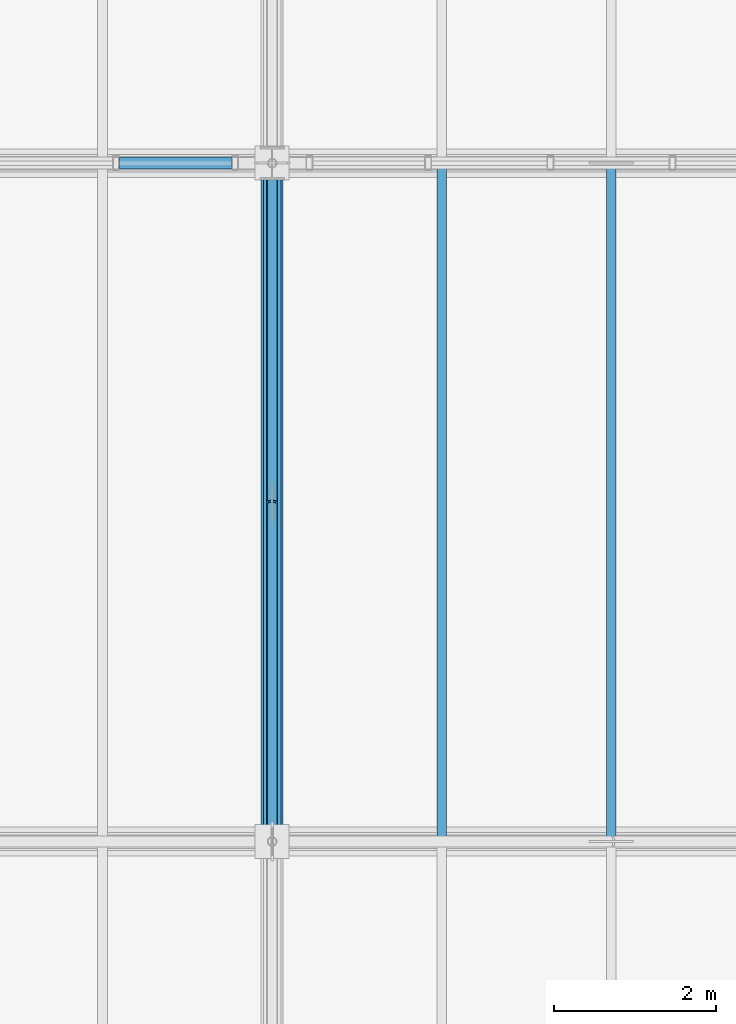
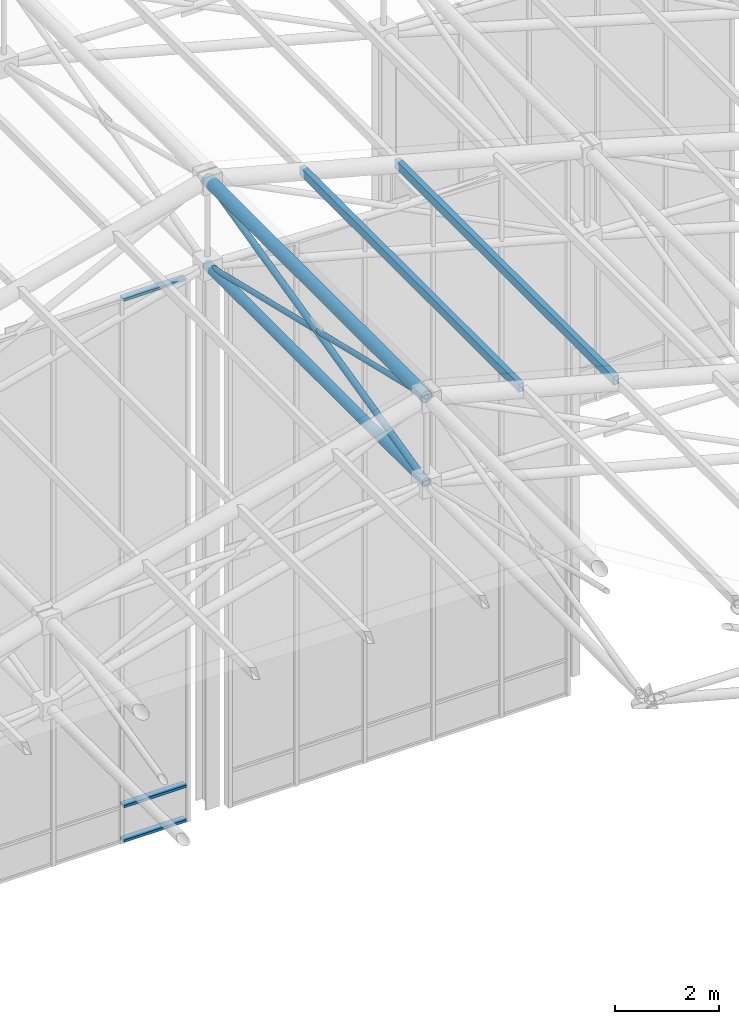
# One storey, part 73 of 144: 10 members, 1 element without a shape of its own.
"""IFC4 building model written with IfcOpenShell, lengths in metres."""

from ifc_helpers import new_model, si_unit, direction, frame, origin, origin_2d, place, context, subcontext, project, spatial, hollow_rectangle, hollow_circle, extrude, material, layer, layer_set, material_profile, profile_set, type_object, element, aggregate, save


model = new_model("IFC4")

# Units and contexts
model_context = context("Model", 3, precision=1e-05, world=origin(), true_north=direction((0.0, 1.0)))
body_context = subcontext(model_context, "Body", "Model", "MODEL_VIEW")
ifc_project = project(units=[si_unit("LENGTHUNIT", "METRE"), si_unit("AREAUNIT", "SQUARE_METRE"), si_unit("VOLUMEUNIT", "CUBIC_METRE"), si_unit("PLANEANGLEUNIT", "RADIAN"), si_unit("MASSUNIT", "GRAM", prefix="KILO")], contexts=[model_context])

# Site, building, storey
site_placement = place(None, origin())
site = spatial("IfcSite", under=ifc_project, at=site_placement, CompositionType="ELEMENT")
building_placement = place(site_placement, origin())
building = spatial("IfcBuilding", under=site, at=building_placement, Name="Zayran Congress Hotel", CompositionType="ELEMENT")
storey_placement = place(building_placement, frame((0.0, 0.0, 19.199951171875)))
storey = spatial("IfcBuildingStorey", under=building, at=storey_placement, Name="L04", CompositionType="ELEMENT", Elevation=19.199951171875)

# Members
ifc_material_1 = material(Name="Steel S355", Category="steel")
ifc_material_profile_1 = material_profile(ifc_material_1, hollow_circle(Radius=0.136474609375, WallThickness=0.012451171875, at=origin_2d()), Name="CHS 273x12.5")
ifc_profile_set_1 = profile_set([ifc_material_profile_1], Name="Steel S355")
member_type_1 = type_object("IfcMemberType", Name="TP-SF-TC2", PredefinedType="CHORD", material=ifc_profile_set_1)
member_1_placement = place(storey_placement, frame((50.39990234375, 101.199951171875, 14.60205078125), z_axis=(0.0, 1.0, 0.0), x_axis=(-1.0, 0.0, 0.0)))
element("IfcMember", 1, at=member_1_placement, inside=storey, type_object=member_type_1, Name="Space Frame Top Chord Y 312", PredefinedType="CHORD", context=body_context, shape_type="SweptSolid", body=[
    extrude(hollow_circle(Radius=0.136474609375, WallThickness=0.012451171875, at=origin_2d()), origin(), (0.0, 0.0, 1.0), 8.400146484375),
])
ifc_material_profile_2 = material_profile(ifc_material_1, hollow_circle(Radius=0.109619140625, WallThickness=0.010009765625, at=origin_2d()), Name="CHS 219.1x10")
ifc_profile_set_2 = profile_set([ifc_material_profile_2], Name="Steel S355")
member_type_2 = type_object("IfcMemberType", Name="TP-SF-BC1", PredefinedType="CHORD", material=ifc_profile_set_2)
member_2_placement = place(storey_placement, frame((50.39990234375, 101.199951171875, 12.60009765625), z_axis=(0.0, 1.0, 0.0), x_axis=(-1.0, 0.0, 0.0)))
element("IfcMember", 2, at=member_2_placement, inside=storey, type_object=member_type_2, Name="Space Frame Bottom Chord Y 313", PredefinedType="CHORD", context=body_context, shape_type="SweptSolid", body=[
    extrude(hollow_circle(Radius=0.109619140625, WallThickness=0.010009765625, at=origin_2d()), origin(), (0.0, 0.0, 1.0), 8.400146484375),
])
ifc_material_profile_3 = material_profile(ifc_material_1, hollow_circle(Radius=0.06982421875, WallThickness=0.00634765625, at=origin_2d()), Name="CHS 139.7x6.3")
ifc_profile_set_3 = profile_set([ifc_material_profile_3], Name="Steel S355")
member_type_3 = type_object("IfcMemberType", Name="TP-SF-DG2", PredefinedType="BRACE", material=ifc_profile_set_3)
member_3_placement = place(storey_placement, frame((50.39990234375, 101.199951171875, 12.60009765625), z_axis=(0.0, 0.972756139537, 0.231830742122), x_axis=(-1.0, 0.0, 0.0)))
element("IfcMember", 3, at=member_3_placement, inside=storey, type_object=member_type_3, Name="Space Frame Web Diagonal Y 314", PredefinedType="BRACE", context=body_context, shape_type="SweptSolid", body=[
    extrude(hollow_circle(Radius=0.06982421875, WallThickness=0.00634765625, at=origin_2d()), origin(), (0.0, 0.0, 1.0), 8.635498046875),
])
ifc_material_profile_4 = material_profile(ifc_material_1, hollow_circle(Radius=0.05712890625, WallThickness=0.00634765625, at=origin_2d()), Name="CHS 114.3x6.3")
ifc_profile_set_4 = profile_set([ifc_material_profile_4], Name="Steel S355")
member_type_4 = type_object("IfcMemberType", Name="TP-SF-DG3", PredefinedType="BRACE", material=ifc_profile_set_4)
for number, where, z_axis, x_axis, name in (
    (4, (50.39990234375, 101.199951171875, 14.60205078125), (0.0, 0.972753833003, -0.231840420068), (-1.0, 0.0, 0.0), "Space Frame Bracing Diagonal Y Upper 315"),
    (5, (50.39990234375, 105.41455078125, 13.59765625), (0.0, 0.972753833003, -0.231840420068), (-1.0, 0.0, 0.0), "Space Frame Bracing Diagonal Y Lower 51"),
):
    element("IfcMember", number, at=place(storey_placement, frame(where, z_axis=z_axis, x_axis=x_axis)), inside=storey, type_object=member_type_4, Name=name, PredefinedType="BRACE", context=body_context, shape_type="SweptSolid", body=[
        extrude(hollow_circle(Radius=0.05712890625, WallThickness=0.00634765625, at=origin_2d()), origin(), (0.0, 0.0, 1.0), 4.302734375),
    ])
ifc_material_profile_5 = material_profile(ifc_material_1, hollow_rectangle(XDim=0.1201171875, YDim=0.199951171875, WallThickness=0.008056640625, at=origin_2d()), Name="RHS 200x120x8")
ifc_profile_set_5 = profile_set([ifc_material_profile_5], Name="Steel S355")
member_type_5 = type_object("IfcMemberType", Name="TP-PR-01", PredefinedType="PURLIN", material=ifc_profile_set_5)
for number, where, z_axis, x_axis, name in (
    (6, (52.5, 101.199951171875, 14.08154296875), (0.0, 1.0, 0.0), (-1.0, 0.0, 0.0), "MEM-PR-V1-0095"),
    (7, (54.60009765625, 101.199951171875, 13.51904296875), (0.0, 1.0, 0.0), (-1.0, 0.0, 0.0), "MEM-PR-V1-0101"),
):
    element("IfcMember", number, at=place(storey_placement, frame(where, z_axis=z_axis, x_axis=x_axis)), inside=storey, type_object=member_type_5, Name=name, PredefinedType="PURLIN", context=body_context, shape_type="SweptSolid", body=[
        extrude(hollow_rectangle(XDim=0.1201171875, YDim=0.199951171875, WallThickness=0.008056640625, at=origin_2d()), origin(), (0.0, 0.0, 1.0), 8.400146484375),
    ])

# Curtain wall, members
ifc_material_2 = material(Name="Anodised aluminium and low-E insulated glass", Category="aluminium")
ifc_layer = layer(ifc_material_2, 0.179931640625)
ifc_layer_set = layer_set([ifc_layer], Name="Anodised aluminium and low-E insulated glass")
curtain_wall_type = type_object("IfcCurtainWallType", Name="CW-V1CL-L04-CW-22-7560-12720", PredefinedType="USERDEFINED", material=ifc_layer_set)
curtain_wall_placement = place(storey_placement, origin())
curtain_wall = element("IfcCurtainWall", 8, at=curtain_wall_placement, inside=storey, type_object=curtain_wall_type, Name="CW-V1CLN-4", ObjectType="CURTAIN WALL", PredefinedType="USERDEFINED")
ifc_material_3 = material(Name="Anodised aluminium framing", Category="aluminium")
ifc_material_profile_6 = material_profile(ifc_material_3, hollow_rectangle(XDim=0.06005859375, YDim=0.14990234375, WallThickness=0.00390625, at=origin_2d()), Name="RHS 150x60x4")
ifc_profile_set_6 = profile_set([ifc_material_profile_6], Name="Anodised aluminium framing")
member_type_6 = type_object("IfcMemberType", Name="TP-CWT-01", PredefinedType="USERDEFINED", material=ifc_profile_set_6)
member_4_placement = place(storey_placement, frame((49.89990234375, 109.60009765625, -0.18994140625), z_axis=(-1.0, 0.0, 0.0), x_axis=(0.0, 0.0, 1.0)))
member_4 = element("IfcMember", 9, at=member_4_placement, type_object=member_type_6, Name="CW-V1CLN-4-T00-0", ObjectType="TRANSOM", PredefinedType="USERDEFINED", context=body_context, shape_type="SweptSolid", body=[
    extrude(hollow_rectangle(XDim=0.06005859375, YDim=0.14990234375, WallThickness=0.00390625, at=origin_2d()), origin(), (0.0, 0.0, 1.0), 1.391845703125),
])
member_5_placement = place(storey_placement, frame((49.89990234375, 109.60009765625, 0.6201171875), z_axis=(-1.0, 0.0, 0.0), x_axis=(0.0, 0.0, 1.0)))
member_5 = element("IfcMember", 10, at=member_5_placement, type_object=member_type_6, Name="CW-V1CLN-4-T00-1", ObjectType="TRANSOM", PredefinedType="USERDEFINED", context=body_context, shape_type="SweptSolid", body=[
    extrude(hollow_rectangle(XDim=0.06005859375, YDim=0.14990234375, WallThickness=0.00390625, at=origin_2d()), origin(), (0.0, 0.0, 1.0), 1.391845703125),
])
member_6_placement = place(storey_placement, frame((49.89990234375, 109.60009765625, 12.469970703125), z_axis=(-1.0, 0.0, 0.0), x_axis=(0.0, 0.0, 1.0)))
member_6 = element("IfcMember", 11, at=member_6_placement, type_object=member_type_6, Name="CW-V1CLN-4-T00-2", ObjectType="TRANSOM", PredefinedType="USERDEFINED", context=body_context, shape_type="SweptSolid", body=[
    extrude(hollow_rectangle(XDim=0.06005859375, YDim=0.14990234375, WallThickness=0.00390625, at=origin_2d()), origin(), (0.0, 0.0, 1.0), 1.391845703125),
])
aggregate(curtain_wall, [member_4, member_5, member_6])

save(model, "model.ifc")
